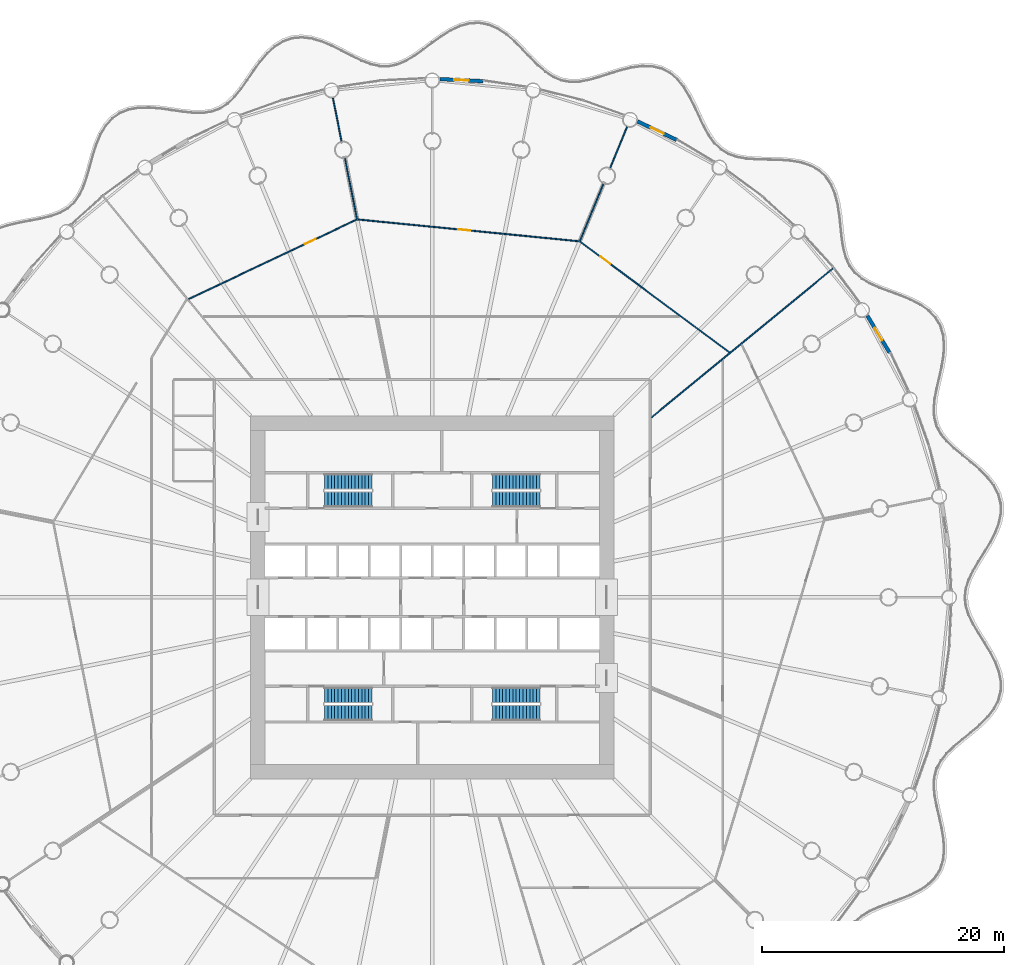
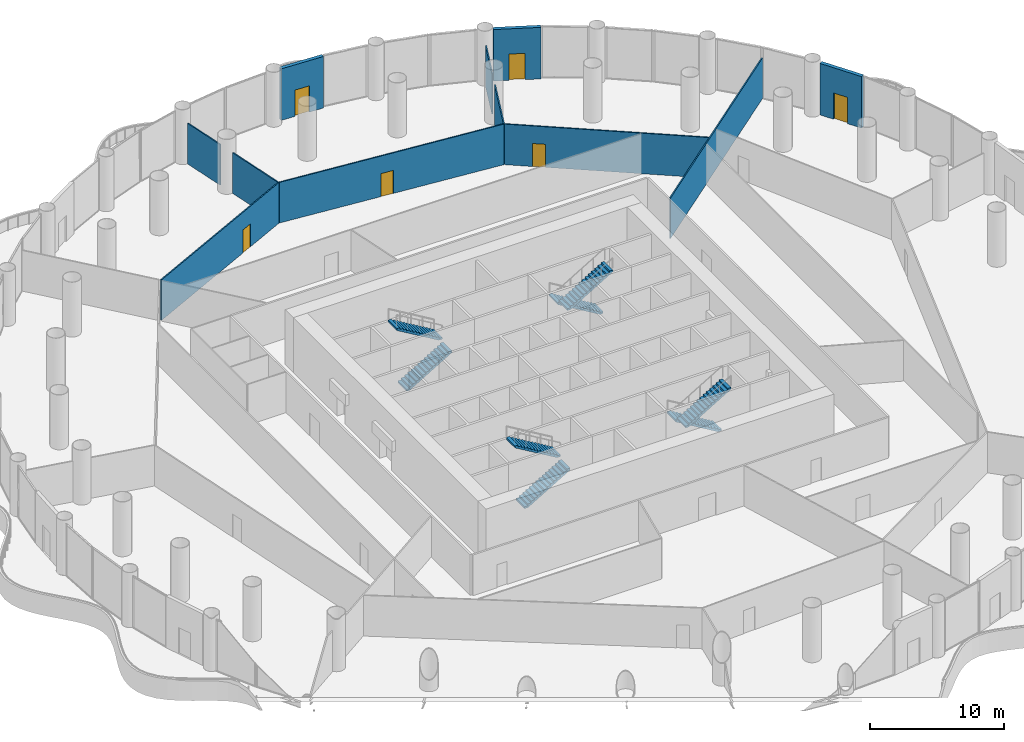
# One storey, part 27 of 35: 11 walls, 8 stair flights, 6 doors, 6 openings, 4 elements without a shape of their own.
"""IFC4 building model written with IfcOpenShell, lengths in metres."""

from ifc_helpers import new_model, si_unit, direction, frame, frame_2d, origin, place, context, subcontext, project, spatial, polyline, rectangle, outline, extrude, material, layer, layer_set, type_object, element, fill, aggregate, save


model = new_model("IFC4")

# Units and contexts
model_context = context("Model", 3, precision=1e-05, world=origin(), true_north=direction((0.0, 1.0)))
body_context = subcontext(model_context, "Body", "Model", "MODEL_VIEW")
ifc_project = project(units=[si_unit("LENGTHUNIT", "METRE"), si_unit("AREAUNIT", "SQUARE_METRE"), si_unit("VOLUMEUNIT", "CUBIC_METRE"), si_unit("PLANEANGLEUNIT", "RADIAN"), si_unit("MASSUNIT", "GRAM", prefix="KILO")], contexts=[model_context])

# Site, building, storey
site_placement = place(None, origin())
site = spatial("IfcSite", under=ifc_project, at=site_placement, CompositionType="ELEMENT")
building_placement = place(site_placement, origin())
building = spatial("IfcBuilding", under=site, at=building_placement, Name="Corvane Civic Tower", CompositionType="ELEMENT")
storey_placement = place(building_placement, frame((0.0, 0.0, 22.0)))
storey = spatial("IfcBuildingStorey", under=building, at=storey_placement, Name="L04", CompositionType="ELEMENT", Elevation=22.0)

# Wall, opening, door
ifc_material_1 = material(Name="Terracotta cladding", Category="masonry")
ifc_layer_1 = layer(ifc_material_1, 0.300048828125)
ifc_layer_set_1 = layer_set([ifc_layer_1], Name="Terracotta cladding")
wall_type_1 = type_object("IfcWallType", Name="PODIUM-W-DRUMDOOR-300", PredefinedType="SOLIDWALL", material=ifc_layer_set_1)
wall_1_placement = place(storey_placement, frame((0.6318359375, 42.81884765625, 0.0), z_axis=(0.0, 0.0, 1.0), x_axis=(0.998793719427, -0.049103014495, 0.0)))
wall_1 = element("IfcWall", 1, at=wall_1_placement, inside=storey, type_object=wall_type_1, Name="L04 drum door bay wall 01", PredefinedType="SOLIDWALL", context=body_context, shape_type="SweptSolid", body=[
    extrude(rectangle(XDim=3.56005859375, YDim=0.300048828125, at=frame_2d((1.780029296875, 0.0))), origin(), (0.0, 0.0, 1.0), 4.699951171875),
])
opening_1_placement = place(wall_1_placement, frame((1.179931640625, 0.0, 0.0)))
opening_1 = element("IfcOpeningElement", 2, at=opening_1_placement, cuts=wall_1, Name="Opening ED-L04-01", PredefinedType="OPENING", context=body_context, shape_type="SweptSolid", body=[
    extrude(rectangle(XDim=1.199951171875, YDim=2.39990234375, at=frame_2d((0.60009765625, 1.199951171875))), frame((0.0, 0.159912109375, 0.0), z_axis=(0.0, -1.0, 0.0), x_axis=(1.0, 0.0, 0.0)), (0.0, 0.0, 1.0), 0.320068359375),
])
ifc_material_2 = material(Name="Anodised aluminium and glass", Category="aluminium")
door_type_1 = type_object("IfcDoorType", Name="PODIUM-D-BALCONY-1200", OperationType="SINGLE_SWING_LEFT", PredefinedType="DOOR", material=ifc_material_2)
door_1_placement = place(opening_1_placement, origin())
door_1 = element("IfcDoor", 3, at=door_1_placement, inside=storey, type_object=door_type_1, Name="L04 balcony door 01", OperationType="SINGLE_SWING_LEFT", OverallHeight=2.39990234375, OverallWidth=1.199951171875, PredefinedType="DOOR", context=body_context, shape_type="SweptSolid", body=[
    extrude(rectangle(XDim=1.199951171875, YDim=2.39990234375, at=frame_2d((0.60009765625, 1.199951171875))), frame((0.0, 0.02490234375, 0.0), z_axis=(0.0, -1.0, 0.0), x_axis=(1.0, 0.0, 0.0)), (0.0, 0.0, 1.0), 0.050048828125),
])
fill(opening_1, door_1)

wall_2_placement = place(storey_placement, frame((16.9697265625, 39.317626953125, 0.0), z_axis=(0.0, 0.0, 1.0), x_axis=(0.903993235074, -0.427546758778, 0.0)))
wall_2 = element("IfcWall", 4, at=wall_2_placement, inside=storey, type_object=wall_type_1, Name="L04 drum door bay wall 03", PredefinedType="SOLIDWALL", context=body_context, shape_type="SweptSolid", body=[
    extrude(rectangle(XDim=3.559814453125, YDim=0.300048828125, at=frame_2d((1.77978515625, 0.0))), origin(), (0.0, 0.0, 1.0), 4.699951171875),
])
opening_2_placement = place(wall_2_placement, frame((1.179931640625, 0.0, 0.0)))
opening_2 = element("IfcOpeningElement", 5, at=opening_2_placement, cuts=wall_2, Name="Opening ED-L04-03", PredefinedType="OPENING", context=body_context, shape_type="SweptSolid", body=[
    extrude(rectangle(XDim=1.199951171875, YDim=2.39990234375, at=frame_2d((0.60009765625, 1.199951171875))), frame((0.0, 0.159912109375, 0.0), z_axis=(0.0, -1.0, 0.0), x_axis=(1.0, 0.0, 0.0)), (0.0, 0.0, 1.0), 0.320068359375),
])
door_2_placement = place(opening_2_placement, origin())
door_2 = element("IfcDoor", 6, at=door_2_placement, inside=storey, type_object=door_type_1, Name="L04 balcony door 03", OperationType="SINGLE_SWING_LEFT", OverallHeight=2.39990234375, OverallWidth=1.199951171875, PredefinedType="DOOR", context=body_context, shape_type="SweptSolid", body=[
    extrude(rectangle(XDim=1.199951171875, YDim=2.39990234375, at=frame_2d((0.60009765625, 1.199951171875))), frame((0.0, 0.02490234375, 0.0), z_axis=(0.0, -1.0, 0.0), x_axis=(1.0, 0.0, 0.0)), (0.0, 0.0, 1.0), 0.050048828125),
])
fill(opening_2, door_2)

wall_3_placement = place(storey_placement, frame((35.95361328125, 23.26318359375, 0.0), z_axis=(0.0, 0.0, 1.0), x_axis=(0.514142680525, -0.85770467182, 0.0)))
wall_3 = element("IfcWall", 7, at=wall_3_placement, inside=storey, type_object=wall_type_1, Name="L04 drum door bay wall 06", PredefinedType="SOLIDWALL", context=body_context, shape_type="SweptSolid", body=[
    extrude(rectangle(XDim=3.5595703125, YDim=0.300048828125, at=frame_2d((1.77978515625, 0.0))), origin(), (0.0, 0.0, 1.0), 4.699951171875),
])
opening_3_placement = place(wall_3_placement, frame((1.179931640625, 0.0, 0.0)))
opening_3 = element("IfcOpeningElement", 8, at=opening_3_placement, cuts=wall_3, Name="Opening ED-L04-06", PredefinedType="OPENING", context=body_context, shape_type="SweptSolid", body=[
    extrude(rectangle(XDim=1.199951171875, YDim=2.39990234375, at=frame_2d((0.60009765625, 1.199951171875))), frame((0.0, 0.159912109375, 0.0), z_axis=(0.0, -1.0, 0.0), x_axis=(1.0, 0.0, 0.0)), (0.0, 0.0, 1.0), 0.320068359375),
])
door_3_placement = place(opening_3_placement, origin())
door_3 = element("IfcDoor", 9, at=door_3_placement, inside=storey, type_object=door_type_1, Name="L04 balcony door 06", OperationType="SINGLE_SWING_RIGHT", OverallHeight=2.39990234375, OverallWidth=1.199951171875, PredefinedType="DOOR", context=body_context, shape_type="SweptSolid", body=[
    extrude(rectangle(XDim=1.199951171875, YDim=2.39990234375, at=frame_2d((0.60009765625, 1.199951171875))), frame((0.0, 0.02490234375, 0.0), z_axis=(0.0, -1.0, 0.0), x_axis=(1.0, 0.0, 0.0)), (0.0, 0.0, 1.0), 0.050048828125),
])
fill(opening_3, door_3)

# Wall
ifc_material_3 = material(Name="Plasterboard")
ifc_layer_2 = layer(ifc_material_3, 0.10009765625)
ifc_layer_set_2 = layer_set([ifc_layer_2], Name="Plasterboard")
wall_type_2 = type_object("IfcWallType", Name="Partition 100 plasterboard on studs", PredefinedType="PARTITIONING", material=ifc_layer_set_2)
wall_4_placement = place(storey_placement, frame((18.106689453125, 14.85986328125, 0.0), z_axis=(0.0, 0.0, 1.0), x_axis=(0.77301221259, 0.634391140533, 0.0)))
element("IfcWall", 10, at=wall_4_placement, inside=storey, type_object=wall_type_2, Name="Partition L04.032", PredefinedType="PARTITIONING", context=body_context, shape_type="SweptSolid", body=[
    extrude(rectangle(XDim=19.526611328125, YDim=0.10009765625, at=frame_2d((9.76318359375, 0.0))), origin(), (0.0, 0.0, 1.0), 3.699951171875),
])

# Wall, opening, door
wall_5_placement = place(storey_placement, frame((12.21484375, 29.39013671875, 0.0), z_axis=(0.0, 0.0, 1.0), x_axis=(0.803198802552, -0.59571107391, 0.0)))
wall_5 = element("IfcWall", 11, at=wall_5_placement, inside=storey, type_object=wall_type_2, Name="Partition L04.039", PredefinedType="PARTITIONING", context=body_context, shape_type="SweptSolid", body=[
    extrude(rectangle(XDim=15.3681640625, YDim=0.10009765625, at=frame_2d((7.68408203125, 0.0))), origin(), (0.0, 0.0, 1.0), 3.699951171875),
])
opening_4_placement = place(wall_5_placement, frame((2.09765625, 0.0, 0.0)))
opening_4 = element("IfcOpeningElement", 12, at=opening_4_placement, cuts=wall_5, Name="Opening L04.009", PredefinedType="OPENING", context=body_context, shape_type="SweptSolid", body=[
    extrude(rectangle(XDim=1.0, YDim=2.10009765625, at=frame_2d((0.5, 1.050048828125))), frame((0.0, 0.06005859375, 0.0), z_axis=(0.0, -1.0, 0.0), x_axis=(1.0, 0.0, 0.0)), (0.0, 0.0, 1.0), 0.1201171875),
])
ifc_material_4 = material(Name="Timber", Category="wood")
door_type_2 = type_object("IfcDoorType", Name="Single door 1000", OperationType="NOTDEFINED", PredefinedType="DOOR", material=ifc_material_4)
door_4_placement = place(opening_4_placement, origin())
door_4 = element("IfcDoor", 13, at=door_4_placement, inside=storey, type_object=door_type_2, Name="Door L04.009", OperationType="SINGLE_SWING_RIGHT", OverallHeight=2.10009765625, OverallWidth=1.0, PredefinedType="DOOR", context=body_context, shape_type="SweptSolid", body=[
    extrude(rectangle(XDim=1.0, YDim=2.10009765625, at=frame_2d((0.5, 1.050048828125))), frame((0.0, 0.02490234375, 0.0), z_axis=(0.0, -1.0, 0.0), x_axis=(1.0, 0.0, 0.0)), (0.0, 0.0, 1.0), 0.050048828125),
])
fill(opening_4, door_4)

wall_6_placement = place(storey_placement, frame((-20.13916015625, 24.6376953125, 0.0), z_axis=(0.0, 0.0, 1.0), x_axis=(0.903995804976, 0.427541325003, 0.0)))
wall_6 = element("IfcWall", 14, at=wall_6_placement, inside=storey, type_object=wall_type_2, Name="Partition L04.041", PredefinedType="PARTITIONING", context=body_context, shape_type="SweptSolid", body=[
    extrude(rectangle(XDim=15.3681640625, YDim=0.10009765625, at=frame_2d((7.68408203125, 0.0))), origin(), (0.0, 0.0, 1.0), 3.699951171875),
])
opening_5_placement = place(wall_6_placement, frame((10.639404296875, 0.0, 0.0)))
opening_5 = element("IfcOpeningElement", 15, at=opening_5_placement, cuts=wall_6, Name="Opening L04.007", PredefinedType="OPENING", context=body_context, shape_type="SweptSolid", body=[
    extrude(rectangle(XDim=1.0, YDim=2.10009765625, at=frame_2d((0.5, 1.050048828125))), frame((0.0, 0.06005859375, 0.0), z_axis=(0.0, -1.0, 0.0), x_axis=(1.0, 0.0, 0.0)), (0.0, 0.0, 1.0), 0.1201171875),
])
door_5_placement = place(opening_5_placement, origin())
door_5 = element("IfcDoor", 16, at=door_5_placement, inside=storey, type_object=door_type_2, Name="Door L04.007", OperationType="SINGLE_SWING_LEFT", OverallHeight=2.10009765625, OverallWidth=1.0, PredefinedType="DOOR", context=body_context, shape_type="SweptSolid", body=[
    extrude(rectangle(XDim=1.0, YDim=2.10009765625, at=frame_2d((0.5, 1.050048828125))), frame((0.0, 0.02490234375, 0.0), z_axis=(0.0, -1.0, 0.0), x_axis=(1.0, 0.0, 0.0)), (0.0, 0.0, 1.0), 0.050048828125),
])
fill(opening_5, door_5)

wall_7_placement = place(storey_placement, frame((-6.174072265625, 31.221435546875, 0.0), z_axis=(0.0, 0.0, 1.0), x_axis=(0.995184588769, -0.098018540472, 0.0)))
wall_7 = element("IfcWall", 17, at=wall_7_placement, inside=storey, type_object=wall_type_2, Name="Partition L04.043", PredefinedType="PARTITIONING", context=body_context, shape_type="SweptSolid", body=[
    extrude(rectangle(XDim=18.4091796875, YDim=0.10009765625, at=frame_2d((9.20458984375, 0.0))), origin(), (0.0, 0.0, 1.0), 3.699951171875),
])
opening_6_placement = place(wall_7_placement, frame((8.35009765625, 0.0, 0.0)))
opening_6 = element("IfcOpeningElement", 18, at=opening_6_placement, cuts=wall_7, Name="Opening L04.008", PredefinedType="OPENING", context=body_context, shape_type="SweptSolid", body=[
    extrude(rectangle(XDim=1.0, YDim=2.10009765625, at=frame_2d((0.5, 1.050048828125))), frame((0.0, 0.06005859375, 0.0), z_axis=(0.0, -1.0, 0.0), x_axis=(1.0, 0.0, 0.0)), (0.0, 0.0, 1.0), 0.1201171875),
])
door_6_placement = place(opening_6_placement, origin())
door_6 = element("IfcDoor", 19, at=door_6_placement, inside=storey, type_object=door_type_2, Name="Door L04.008", OperationType="SINGLE_SWING_LEFT", OverallHeight=2.10009765625, OverallWidth=1.0, PredefinedType="DOOR", context=body_context, shape_type="SweptSolid", body=[
    extrude(rectangle(XDim=1.0, YDim=2.10009765625, at=frame_2d((0.5, 1.050048828125))), frame((0.0, 0.02490234375, 0.0), z_axis=(0.0, -1.0, 0.0), x_axis=(1.0, 0.0, 0.0)), (0.0, 0.0, 1.0), 0.050048828125),
])
fill(opening_6, door_6)

# Walls
wall_8_placement = place(storey_placement, frame((12.198486328125, 29.449462890625, 0.0), z_axis=(0.0, 0.0, 1.0), x_axis=(0.382672223843, 0.923884175154, 0.0)))
element("IfcWall", 20, at=wall_8_placement, inside=storey, type_object=wall_type_2, Name="Partition L04.044", PredefinedType="PARTITIONING", context=body_context, shape_type="SweptSolid", body=[
    extrude(rectangle(XDim=5.114013671875, YDim=0.10009765625, at=frame_2d((2.55712890625, 0.0))), origin(), (0.0, 0.0, 1.0), 3.699951171875),
])
wall_9_placement = place(storey_placement, frame((-7.21630859375, 36.279296875, 0.0), z_axis=(0.0, 0.0, 1.0), x_axis=(0.195051129483, -0.980793075469, 0.0)))
element("IfcWall", 21, at=wall_9_placement, inside=storey, type_object=wall_type_2, Name="Partition L04.045", PredefinedType="PARTITIONING", context=body_context, shape_type="SweptSolid", body=[
    extrude(rectangle(XDim=5.1142578125, YDim=0.10009765625, at=frame_2d((2.55712890625, 0.0))), origin(), (0.0, 0.0, 1.0), 3.699951171875),
])
wall_10_placement = place(storey_placement, frame((14.698974609375, 35.486328125, 0.0), z_axis=(0.0, 0.0, 1.0), x_axis=(0.382687744427, 0.923877746385, 0.0)))
element("IfcWall", 22, at=wall_10_placement, inside=storey, type_object=wall_type_2, Name="Partition L04.046", PredefinedType="PARTITIONING", context=body_context, shape_type="SweptSolid", body=[
    extrude(rectangle(XDim=3.6796875, YDim=0.10009765625, at=frame_2d((1.83984375, 0.0))), origin(), (0.0, 0.0, 1.0), 3.699951171875),
])
wall_11_placement = place(storey_placement, frame((-8.21142578125, 41.281494140625, 0.0), z_axis=(0.0, 0.0, 1.0), x_axis=(0.195095468315, -0.980784256727, 0.0)))
element("IfcWall", 23, at=wall_11_placement, inside=storey, type_object=wall_type_2, Name="Partition L04.047", PredefinedType="PARTITIONING", context=body_context, shape_type="SweptSolid", body=[
    extrude(rectangle(XDim=3.680419921875, YDim=0.10009765625, at=frame_2d((1.84033203125, 0.0))), origin(), (0.0, 0.0, 1.0), 3.699951171875),
])

# Stair, stair flights
ifc_material_5 = material(Name="Concrete C40/50", Category="concrete")
stair_type = type_object("IfcStairType", Name="ST-STAIR-HALFTURN", PredefinedType="HALF_TURN_STAIR", material=ifc_material_5)
stair_1_placement = place(storey_placement, origin())
stair_1 = element("IfcStair", 24, at=stair_1_placement, inside=storey, type_object=stair_type, Name="L04 Exit stair ST1", PredefinedType="HALF_TURN_STAIR")
ifc_material_6 = material(Name="Concrete C40/50", Category="concrete")
stair_flight_type = type_object("IfcStairFlightType", Name="ST-FLIGHT-RC", PredefinedType="STRAIGHT", material=ifc_material_6)
stair_flight_1_placement = place(storey_placement, frame((8.89990234375, 9.550048828125, 0.0), z_axis=(0.0, 0.0, 1.0), x_axis=(-1.0, 0.0, 0.0)))
stair_flight_1 = element("IfcStairFlight", 25, at=stair_flight_1_placement, type_object=stair_flight_type, Name="ST1 flight 1", NumberOfRisers=15, NumberOfTreads=14, PredefinedType="STRAIGHT", RiserHeight=0.166666667, TreadLength=0.28, context=body_context, shape_type="SweptSolid", body=[
    extrude(outline(polyline([(0.0, 0.0), (0.0, 0.166748046875), (0.280029296875, 0.166748046875), (0.280029296875, 0.333251953125), (0.56005859375, 0.333251953125), (0.56005859375, 0.5), (0.840087890625, 0.5), (0.840087890625, 0.666748046875), (1.1201171875, 0.666748046875), (1.1201171875, 0.833251953125), (1.39990234375, 0.833251953125), (1.39990234375, 1.0), (1.679931640625, 1.0), (1.679931640625, 1.166748046875), (1.9599609375, 1.166748046875), (1.9599609375, 1.333251953125), (2.239990234375, 1.333251953125), (2.239990234375, 1.5), (2.52001953125, 1.5), (2.52001953125, 1.666748046875), (2.800048828125, 1.666748046875), (2.800048828125, 1.833251953125), (3.080078125, 1.833251953125), (3.080078125, 2.0), (3.360107421875, 2.0), (3.360107421875, 2.166748046875), (3.639892578125, 2.166748046875), (3.639892578125, 2.333251953125), (3.919921875, 2.333251953125), (3.919921875, 2.5), (3.919921875, 2.158935546875), (0.29296875, 0.0), (0.0, 0.0)])), frame((0.0, 0.64990234375, 0.0), z_axis=(0.0, -1.0, 0.0), x_axis=(1.0, 0.0, 0.0)), (0.0, 0.0, 1.0), 1.300048828125),
])
stair_flight_2_placement = place(storey_placement, frame((4.97998046875, 8.10009765625, 2.5), z_axis=(0.0, 0.0, 1.0), x_axis=(1.0, 0.0, 0.0)))
stair_flight_2 = element("IfcStairFlight", 26, at=stair_flight_2_placement, type_object=stair_flight_type, Name="ST1 flight 2", NumberOfRisers=15, NumberOfTreads=14, PredefinedType="STRAIGHT", RiserHeight=0.166666667, TreadLength=0.28, context=body_context, shape_type="SweptSolid", body=[
    extrude(outline(polyline([(0.0, 0.0), (0.0, 0.166748046875), (0.280029296875, 0.166748046875), (0.280029296875, 0.333251953125), (0.56005859375, 0.333251953125), (0.56005859375, 0.5), (0.840087890625, 0.5), (0.840087890625, 0.666748046875), (1.1201171875, 0.666748046875), (1.1201171875, 0.833251953125), (1.39990234375, 0.833251953125), (1.39990234375, 1.0), (1.679931640625, 1.0), (1.679931640625, 1.166748046875), (1.9599609375, 1.166748046875), (1.9599609375, 1.333251953125), (2.239990234375, 1.333251953125), (2.239990234375, 1.5), (2.52001953125, 1.5), (2.52001953125, 1.666748046875), (2.800048828125, 1.666748046875), (2.800048828125, 1.833251953125), (3.080078125, 1.833251953125), (3.080078125, 2.0), (3.360107421875, 2.0), (3.360107421875, 2.166748046875), (3.639892578125, 2.166748046875), (3.639892578125, 2.333251953125), (3.919921875, 2.333251953125), (3.919921875, 2.5), (3.919921875, 2.158935546875), (0.29296875, 0.0), (0.0, 0.0)])), frame((0.0, 0.64990234375, 0.0), z_axis=(0.0, -1.0, 0.0), x_axis=(1.0, 0.0, 0.0)), (0.0, 0.0, 1.0), 1.300048828125),
])
aggregate(stair_1, [stair_flight_1, stair_flight_2])

stair_2_placement = place(storey_placement, origin())
stair_2 = element("IfcStair", 27, at=stair_2_placement, inside=storey, type_object=stair_type, Name="L04 Exit stair ST2", PredefinedType="HALF_TURN_STAIR")
stair_flight_3_placement = place(storey_placement, frame((8.89990234375, -8.10009765625, 0.0), z_axis=(0.0, 0.0, 1.0), x_axis=(-1.0, 0.0, 0.0)))
stair_flight_3 = element("IfcStairFlight", 28, at=stair_flight_3_placement, type_object=stair_flight_type, Name="ST2 flight 1", NumberOfRisers=15, NumberOfTreads=14, PredefinedType="STRAIGHT", RiserHeight=0.166666667, TreadLength=0.28, context=body_context, shape_type="SweptSolid", body=[
    extrude(outline(polyline([(0.0, 0.0), (0.0, 0.166748046875), (0.280029296875, 0.166748046875), (0.280029296875, 0.333251953125), (0.56005859375, 0.333251953125), (0.56005859375, 0.5), (0.840087890625, 0.5), (0.840087890625, 0.666748046875), (1.1201171875, 0.666748046875), (1.1201171875, 0.833251953125), (1.39990234375, 0.833251953125), (1.39990234375, 1.0), (1.679931640625, 1.0), (1.679931640625, 1.166748046875), (1.9599609375, 1.166748046875), (1.9599609375, 1.333251953125), (2.239990234375, 1.333251953125), (2.239990234375, 1.5), (2.52001953125, 1.5), (2.52001953125, 1.666748046875), (2.800048828125, 1.666748046875), (2.800048828125, 1.833251953125), (3.080078125, 1.833251953125), (3.080078125, 2.0), (3.360107421875, 2.0), (3.360107421875, 2.166748046875), (3.639892578125, 2.166748046875), (3.639892578125, 2.333251953125), (3.919921875, 2.333251953125), (3.919921875, 2.5), (3.919921875, 2.158935546875), (0.29296875, 0.0), (0.0, 0.0)])), frame((0.0, 0.64990234375, 0.0), z_axis=(0.0, -1.0, 0.0), x_axis=(1.0, 0.0, 0.0)), (0.0, 0.0, 1.0), 1.300048828125),
])
stair_flight_4_placement = place(storey_placement, frame((4.97998046875, -9.550048828125, 2.5), z_axis=(0.0, 0.0, 1.0), x_axis=(1.0, 0.0, 0.0)))
stair_flight_4 = element("IfcStairFlight", 29, at=stair_flight_4_placement, type_object=stair_flight_type, Name="ST2 flight 2", NumberOfRisers=15, NumberOfTreads=14, PredefinedType="STRAIGHT", RiserHeight=0.166666667, TreadLength=0.28, context=body_context, shape_type="SweptSolid", body=[
    extrude(outline(polyline([(0.0, 0.0), (0.0, 0.166748046875), (0.280029296875, 0.166748046875), (0.280029296875, 0.333251953125), (0.56005859375, 0.333251953125), (0.56005859375, 0.5), (0.840087890625, 0.5), (0.840087890625, 0.666748046875), (1.1201171875, 0.666748046875), (1.1201171875, 0.833251953125), (1.39990234375, 0.833251953125), (1.39990234375, 1.0), (1.679931640625, 1.0), (1.679931640625, 1.166748046875), (1.9599609375, 1.166748046875), (1.9599609375, 1.333251953125), (2.239990234375, 1.333251953125), (2.239990234375, 1.5), (2.52001953125, 1.5), (2.52001953125, 1.666748046875), (2.800048828125, 1.666748046875), (2.800048828125, 1.833251953125), (3.080078125, 1.833251953125), (3.080078125, 2.0), (3.360107421875, 2.0), (3.360107421875, 2.166748046875), (3.639892578125, 2.166748046875), (3.639892578125, 2.333251953125), (3.919921875, 2.333251953125), (3.919921875, 2.5), (3.919921875, 2.158935546875), (0.29296875, 0.0), (0.0, 0.0)])), frame((0.0, 0.64990234375, 0.0), z_axis=(0.0, -1.0, 0.0), x_axis=(1.0, 0.0, 0.0)), (0.0, 0.0, 1.0), 1.300048828125),
])
aggregate(stair_2, [stair_flight_3, stair_flight_4])

stair_3_placement = place(storey_placement, origin())
stair_3 = element("IfcStair", 30, at=stair_3_placement, inside=storey, type_object=stair_type, Name="L04 Exit stair ST3", PredefinedType="HALF_TURN_STAIR")
stair_flight_5_placement = place(storey_placement, frame((-8.89990234375, -9.550048828125, 0.0), z_axis=(0.0, 0.0, 1.0), x_axis=(1.0, 0.0, 0.0)))
stair_flight_5 = element("IfcStairFlight", 31, at=stair_flight_5_placement, type_object=stair_flight_type, Name="ST3 flight 1", NumberOfRisers=15, NumberOfTreads=14, PredefinedType="STRAIGHT", RiserHeight=0.166666667, TreadLength=0.28, context=body_context, shape_type="SweptSolid", body=[
    extrude(outline(polyline([(0.0, 0.0), (0.0, 0.166748046875), (0.280029296875, 0.166748046875), (0.280029296875, 0.333251953125), (0.56005859375, 0.333251953125), (0.56005859375, 0.5), (0.840087890625, 0.5), (0.840087890625, 0.666748046875), (1.1201171875, 0.666748046875), (1.1201171875, 0.833251953125), (1.39990234375, 0.833251953125), (1.39990234375, 1.0), (1.679931640625, 1.0), (1.679931640625, 1.166748046875), (1.9599609375, 1.166748046875), (1.9599609375, 1.333251953125), (2.239990234375, 1.333251953125), (2.239990234375, 1.5), (2.52001953125, 1.5), (2.52001953125, 1.666748046875), (2.800048828125, 1.666748046875), (2.800048828125, 1.833251953125), (3.080078125, 1.833251953125), (3.080078125, 2.0), (3.360107421875, 2.0), (3.360107421875, 2.166748046875), (3.639892578125, 2.166748046875), (3.639892578125, 2.333251953125), (3.919921875, 2.333251953125), (3.919921875, 2.5), (3.919921875, 2.158935546875), (0.29296875, 0.0), (0.0, 0.0)])), frame((0.0, 0.64990234375, 0.0), z_axis=(0.0, -1.0, 0.0), x_axis=(1.0, 0.0, 0.0)), (0.0, 0.0, 1.0), 1.300048828125),
])
stair_flight_6_placement = place(storey_placement, frame((-4.97998046875, -8.10009765625, 2.5), z_axis=(0.0, 0.0, 1.0), x_axis=(-1.0, 0.0, 0.0)))
stair_flight_6 = element("IfcStairFlight", 32, at=stair_flight_6_placement, type_object=stair_flight_type, Name="ST3 flight 2", NumberOfRisers=15, NumberOfTreads=14, PredefinedType="STRAIGHT", RiserHeight=0.166666667, TreadLength=0.28, context=body_context, shape_type="SweptSolid", body=[
    extrude(outline(polyline([(0.0, 0.0), (0.0, 0.166748046875), (0.280029296875, 0.166748046875), (0.280029296875, 0.333251953125), (0.56005859375, 0.333251953125), (0.56005859375, 0.5), (0.840087890625, 0.5), (0.840087890625, 0.666748046875), (1.1201171875, 0.666748046875), (1.1201171875, 0.833251953125), (1.39990234375, 0.833251953125), (1.39990234375, 1.0), (1.679931640625, 1.0), (1.679931640625, 1.166748046875), (1.9599609375, 1.166748046875), (1.9599609375, 1.333251953125), (2.239990234375, 1.333251953125), (2.239990234375, 1.5), (2.52001953125, 1.5), (2.52001953125, 1.666748046875), (2.800048828125, 1.666748046875), (2.800048828125, 1.833251953125), (3.080078125, 1.833251953125), (3.080078125, 2.0), (3.360107421875, 2.0), (3.360107421875, 2.166748046875), (3.639892578125, 2.166748046875), (3.639892578125, 2.333251953125), (3.919921875, 2.333251953125), (3.919921875, 2.5), (3.919921875, 2.158935546875), (0.29296875, 0.0), (0.0, 0.0)])), frame((0.0, 0.64990234375, 0.0), z_axis=(0.0, -1.0, 0.0), x_axis=(1.0, 0.0, 0.0)), (0.0, 0.0, 1.0), 1.300048828125),
])
aggregate(stair_3, [stair_flight_5, stair_flight_6])

stair_4_placement = place(storey_placement, origin())
stair_4 = element("IfcStair", 33, at=stair_4_placement, inside=storey, type_object=stair_type, Name="L04 Exit stair ST4", PredefinedType="HALF_TURN_STAIR")
stair_flight_7_placement = place(storey_placement, frame((-8.89990234375, 8.10009765625, 0.0), z_axis=(0.0, 0.0, 1.0), x_axis=(1.0, 0.0, 0.0)))
stair_flight_7 = element("IfcStairFlight", 34, at=stair_flight_7_placement, type_object=stair_flight_type, Name="ST4 flight 1", NumberOfRisers=15, NumberOfTreads=14, PredefinedType="STRAIGHT", RiserHeight=0.166666667, TreadLength=0.28, context=body_context, shape_type="SweptSolid", body=[
    extrude(outline(polyline([(0.0, 0.0), (0.0, 0.166748046875), (0.280029296875, 0.166748046875), (0.280029296875, 0.333251953125), (0.56005859375, 0.333251953125), (0.56005859375, 0.5), (0.840087890625, 0.5), (0.840087890625, 0.666748046875), (1.1201171875, 0.666748046875), (1.1201171875, 0.833251953125), (1.39990234375, 0.833251953125), (1.39990234375, 1.0), (1.679931640625, 1.0), (1.679931640625, 1.166748046875), (1.9599609375, 1.166748046875), (1.9599609375, 1.333251953125), (2.239990234375, 1.333251953125), (2.239990234375, 1.5), (2.52001953125, 1.5), (2.52001953125, 1.666748046875), (2.800048828125, 1.666748046875), (2.800048828125, 1.833251953125), (3.080078125, 1.833251953125), (3.080078125, 2.0), (3.360107421875, 2.0), (3.360107421875, 2.166748046875), (3.639892578125, 2.166748046875), (3.639892578125, 2.333251953125), (3.919921875, 2.333251953125), (3.919921875, 2.5), (3.919921875, 2.158935546875), (0.29296875, 0.0), (0.0, 0.0)])), frame((0.0, 0.64990234375, 0.0), z_axis=(0.0, -1.0, 0.0), x_axis=(1.0, 0.0, 0.0)), (0.0, 0.0, 1.0), 1.300048828125),
])
stair_flight_8_placement = place(storey_placement, frame((-4.97998046875, 9.550048828125, 2.5), z_axis=(0.0, 0.0, 1.0), x_axis=(-1.0, 0.0, 0.0)))
stair_flight_8 = element("IfcStairFlight", 35, at=stair_flight_8_placement, type_object=stair_flight_type, Name="ST4 flight 2", NumberOfRisers=15, NumberOfTreads=14, PredefinedType="STRAIGHT", RiserHeight=0.166666667, TreadLength=0.28, context=body_context, shape_type="SweptSolid", body=[
    extrude(outline(polyline([(0.0, 0.0), (0.0, 0.166748046875), (0.280029296875, 0.166748046875), (0.280029296875, 0.333251953125), (0.56005859375, 0.333251953125), (0.56005859375, 0.5), (0.840087890625, 0.5), (0.840087890625, 0.666748046875), (1.1201171875, 0.666748046875), (1.1201171875, 0.833251953125), (1.39990234375, 0.833251953125), (1.39990234375, 1.0), (1.679931640625, 1.0), (1.679931640625, 1.166748046875), (1.9599609375, 1.166748046875), (1.9599609375, 1.333251953125), (2.239990234375, 1.333251953125), (2.239990234375, 1.5), (2.52001953125, 1.5), (2.52001953125, 1.666748046875), (2.800048828125, 1.666748046875), (2.800048828125, 1.833251953125), (3.080078125, 1.833251953125), (3.080078125, 2.0), (3.360107421875, 2.0), (3.360107421875, 2.166748046875), (3.639892578125, 2.166748046875), (3.639892578125, 2.333251953125), (3.919921875, 2.333251953125), (3.919921875, 2.5), (3.919921875, 2.158935546875), (0.29296875, 0.0), (0.0, 0.0)])), frame((0.0, 0.64990234375, 0.0), z_axis=(0.0, -1.0, 0.0), x_axis=(1.0, 0.0, 0.0)), (0.0, 0.0, 1.0), 1.300048828125),
])
aggregate(stair_4, [stair_flight_7, stair_flight_8])

save(model, "model.ifc")
